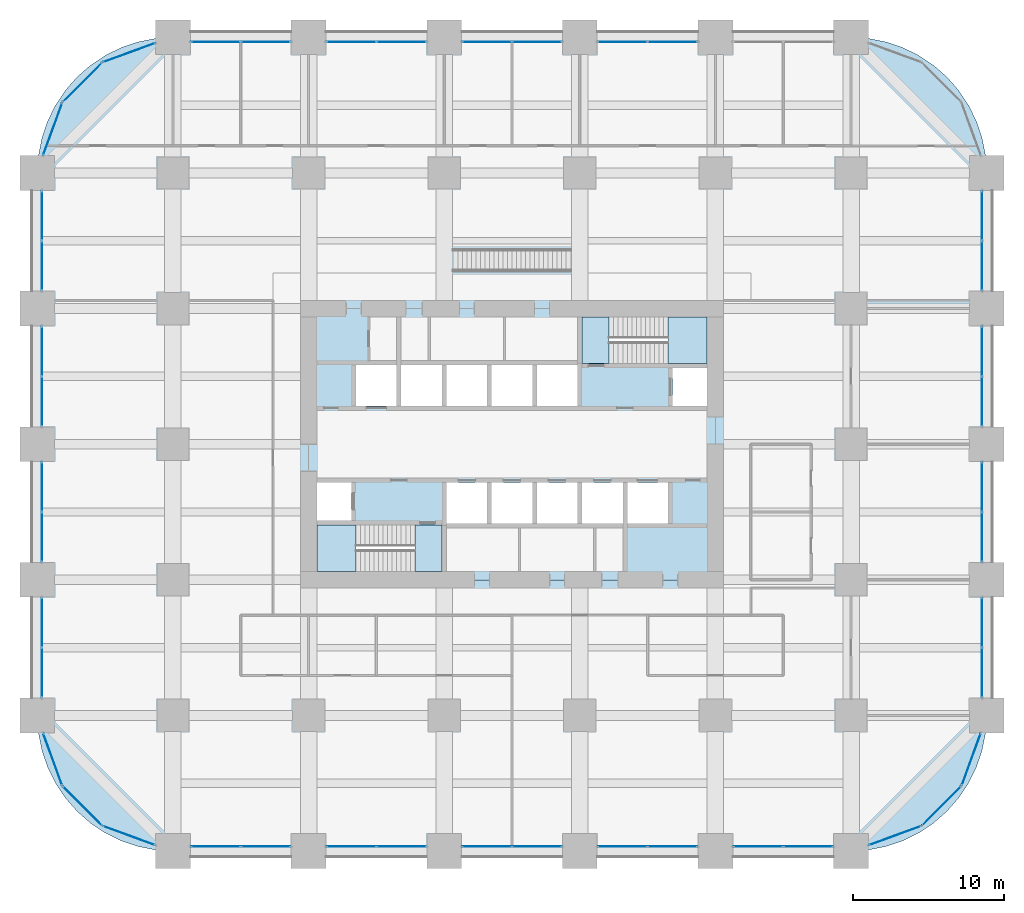
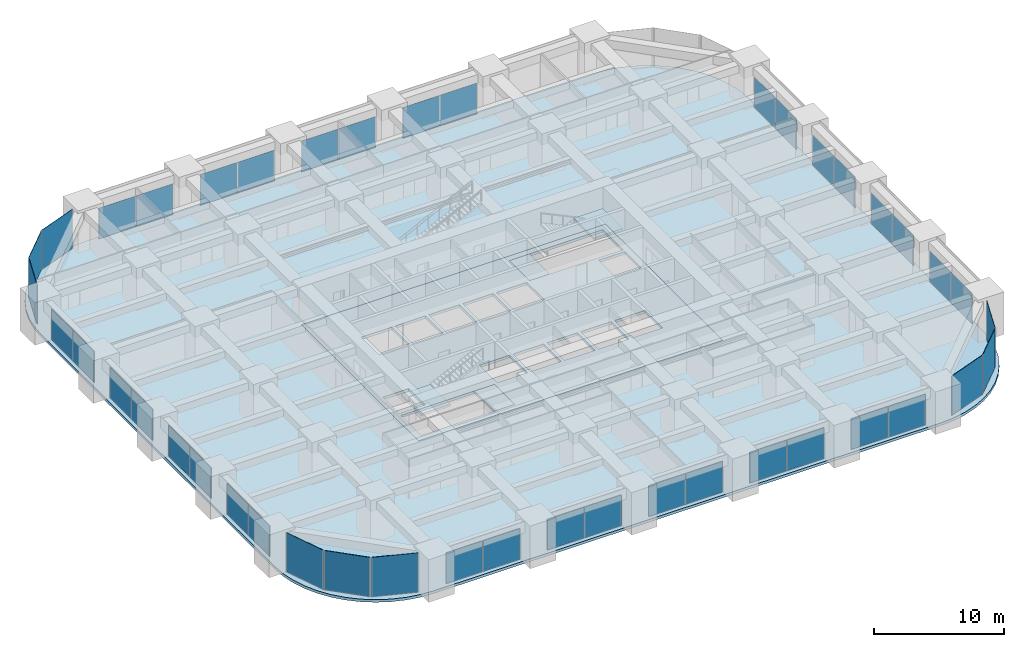
# One storey, part 38 of 44: 43 plates, 6 slabs, 28 elements without a shape of their own.
"""IFC4 building model written with IfcOpenShell, lengths in metres."""

from ifc_helpers import new_model, si_unit, direction, frame, origin, origin_2d, place, context, subcontext, project, spatial, polyline, rectangle, outline, extrude, material, layer, layer_set, type_object, element, aggregate, save


model = new_model("IFC4")

# Units and contexts
model_context = context("Model", 3, precision=1e-05, world=origin(), true_north=direction((0.0, 1.0)))
body_context = subcontext(model_context, "Body", "Model", "MODEL_VIEW")
ifc_project = project(units=[si_unit("LENGTHUNIT", "METRE"), si_unit("AREAUNIT", "SQUARE_METRE"), si_unit("VOLUMEUNIT", "CUBIC_METRE"), si_unit("PLANEANGLEUNIT", "RADIAN"), si_unit("MASSUNIT", "GRAM", prefix="KILO")], contexts=[model_context])

# Site, building, storey
site_placement = place(None, origin())
site = spatial("IfcSite", under=ifc_project, at=site_placement, CompositionType="ELEMENT")
building_placement = place(site_placement, origin())
building = spatial("IfcBuilding", under=site, at=building_placement, Name="Zorevar Civic Tower", CompositionType="ELEMENT")
storey_placement = place(building_placement, frame((0.0, 0.0, 59.800048828125)))
storey = spatial("IfcBuildingStorey", under=building, at=storey_placement, Name="L14", CompositionType="ELEMENT", Elevation=59.800048828125)

# Curtain wall, plates
ifc_material_1 = material(Name="Dark grey solar-control glass in black aluminium frame", Category="aluminium")
curtain_wall_type = type_object("IfcCurtainWallType", Name="Curtain wall CW2 low zone", PredefinedType="NOTDEFINED", material=ifc_material_1)
curtain_wall_1_placement = place(storey_placement, origin())
curtain_wall_1 = element("IfcCurtainWall", 1, at=curtain_wall_1_placement, inside=storey, type_object=curtain_wall_type, Name="CW2 L14", PredefinedType="NOTDEFINED")
ifc_material_2 = material(Name="Dark grey solar-control glass", Category="glass")
ifc_layer_1 = layer(ifc_material_2, 0.031982421875)
ifc_layer_set_1 = layer_set([ifc_layer_1], Name="CW2 panel 32")
plate_type = type_object("IfcPlateType", Name="CW2 panel 32", PredefinedType="CURTAIN_PANEL", material=ifc_layer_set_1)
plate_1_placement = place(storey_placement, frame((11.840087890625, 0.300048828125, 0.06005859375), z_axis=(0.0, 0.0, 1.0), x_axis=(1.0, 0.0, 0.0)))
plate_1 = element("IfcPlate", 2, at=plate_1_placement, type_object=plate_type, Name="CW2 panel 1.1", PredefinedType="CURTAIN_PANEL", context=body_context, shape_type="SweptSolid", body=[
    extrude(rectangle(XDim=3.260009765625, YDim=0.031982421875, at=origin_2d()), origin(), (0.0, 0.0, 1.0), 2.889892578125),
])
plate_2_placement = place(storey_placement, frame((15.159912109375, 0.300048828125, 0.06005859375), z_axis=(0.0, 0.0, 1.0), x_axis=(1.0, 0.0, 0.0)))
plate_2 = element("IfcPlate", 3, at=plate_2_placement, type_object=plate_type, Name="CW2 panel 2.1", PredefinedType="CURTAIN_PANEL", context=body_context, shape_type="SweptSolid", body=[
    extrude(rectangle(XDim=3.260009765625, YDim=0.031982421875, at=origin_2d()), origin(), (0.0, 0.0, 1.0), 2.889892578125),
])
aggregate(curtain_wall_1, [plate_1, plate_2])

curtain_wall_2_placement = place(storey_placement, origin())
curtain_wall_2 = element("IfcCurtainWall", 4, at=curtain_wall_2_placement, inside=storey, type_object=curtain_wall_type, Name="CW2 L14", PredefinedType="NOTDEFINED")
plate_3_placement = place(storey_placement, frame((11.840087890625, 53.699951171875, 0.06005859375), z_axis=(0.0, 0.0, 1.0), x_axis=(1.0, 0.0, 0.0)))
plate_3 = element("IfcPlate", 5, at=plate_3_placement, type_object=plate_type, Name="CW2 panel 1.1", PredefinedType="CURTAIN_PANEL", context=body_context, shape_type="SweptSolid", body=[
    extrude(rectangle(XDim=3.260009765625, YDim=0.031982421875, at=origin_2d()), origin(), (0.0, 0.0, 1.0), 2.889892578125),
])
plate_4_placement = place(storey_placement, frame((15.159912109375, 53.699951171875, 0.06005859375), z_axis=(0.0, 0.0, 1.0), x_axis=(1.0, 0.0, 0.0)))
plate_4 = element("IfcPlate", 6, at=plate_4_placement, type_object=plate_type, Name="CW2 panel 2.1", PredefinedType="CURTAIN_PANEL", context=body_context, shape_type="SweptSolid", body=[
    extrude(rectangle(XDim=3.260009765625, YDim=0.031982421875, at=origin_2d()), origin(), (0.0, 0.0, 1.0), 2.889892578125),
])
aggregate(curtain_wall_2, [plate_3, plate_4])

curtain_wall_3_placement = place(storey_placement, origin())
curtain_wall_3 = element("IfcCurtainWall", 7, at=curtain_wall_3_placement, inside=storey, type_object=curtain_wall_type, Name="CW2 L14", PredefinedType="NOTDEFINED")
plate_5_placement = place(storey_placement, frame((20.840087890625, 0.300048828125, 0.06005859375), z_axis=(0.0, 0.0, 1.0), x_axis=(1.0, 0.0, 0.0)))
plate_5 = element("IfcPlate", 8, at=plate_5_placement, type_object=plate_type, Name="CW2 panel 1.1", PredefinedType="CURTAIN_PANEL", context=body_context, shape_type="SweptSolid", body=[
    extrude(rectangle(XDim=3.260009765625, YDim=0.031982421875, at=origin_2d()), origin(), (0.0, 0.0, 1.0), 2.889892578125),
])
plate_6_placement = place(storey_placement, frame((24.159912109375, 0.300048828125, 0.06005859375), z_axis=(0.0, 0.0, 1.0), x_axis=(1.0, 0.0, 0.0)))
plate_6 = element("IfcPlate", 9, at=plate_6_placement, type_object=plate_type, Name="CW2 panel 2.1", PredefinedType="CURTAIN_PANEL", context=body_context, shape_type="SweptSolid", body=[
    extrude(rectangle(XDim=3.260009765625, YDim=0.031982421875, at=origin_2d()), origin(), (0.0, 0.0, 1.0), 2.889892578125),
])
aggregate(curtain_wall_3, [plate_5, plate_6])

curtain_wall_4_placement = place(storey_placement, origin())
curtain_wall_4 = element("IfcCurtainWall", 10, at=curtain_wall_4_placement, inside=storey, type_object=curtain_wall_type, Name="CW2 L14", PredefinedType="NOTDEFINED")
plate_7_placement = place(storey_placement, frame((20.840087890625, 53.699951171875, 0.06005859375), z_axis=(0.0, 0.0, 1.0), x_axis=(1.0, 0.0, 0.0)))
plate_7 = element("IfcPlate", 11, at=plate_7_placement, type_object=plate_type, Name="CW2 panel 1.1", PredefinedType="CURTAIN_PANEL", context=body_context, shape_type="SweptSolid", body=[
    extrude(rectangle(XDim=3.260009765625, YDim=0.031982421875, at=origin_2d()), origin(), (0.0, 0.0, 1.0), 2.889892578125),
])
plate_8_placement = place(storey_placement, frame((24.159912109375, 53.699951171875, 0.06005859375), z_axis=(0.0, 0.0, 1.0), x_axis=(1.0, 0.0, 0.0)))
plate_8 = element("IfcPlate", 12, at=plate_8_placement, type_object=plate_type, Name="CW2 panel 2.1", PredefinedType="CURTAIN_PANEL", context=body_context, shape_type="SweptSolid", body=[
    extrude(rectangle(XDim=3.260009765625, YDim=0.031982421875, at=origin_2d()), origin(), (0.0, 0.0, 1.0), 2.889892578125),
])
aggregate(curtain_wall_4, [plate_7, plate_8])

curtain_wall_5_placement = place(storey_placement, origin())
curtain_wall_5 = element("IfcCurtainWall", 13, at=curtain_wall_5_placement, inside=storey, type_object=curtain_wall_type, Name="CW2 L14", PredefinedType="NOTDEFINED")
plate_9_placement = place(storey_placement, frame((29.840087890625, 0.300048828125, 0.06005859375), z_axis=(0.0, 0.0, 1.0), x_axis=(1.0, 0.0, 0.0)))
plate_9 = element("IfcPlate", 14, at=plate_9_placement, type_object=plate_type, Name="CW2 panel 1.1", PredefinedType="CURTAIN_PANEL", context=body_context, shape_type="SweptSolid", body=[
    extrude(rectangle(XDim=3.260009765625, YDim=0.031982421875, at=origin_2d()), origin(), (0.0, 0.0, 1.0), 2.889892578125),
])
plate_10_placement = place(storey_placement, frame((33.159912109375, 0.300048828125, 0.06005859375), z_axis=(0.0, 0.0, 1.0), x_axis=(1.0, 0.0, 0.0)))
plate_10 = element("IfcPlate", 15, at=plate_10_placement, type_object=plate_type, Name="CW2 panel 2.1", PredefinedType="CURTAIN_PANEL", context=body_context, shape_type="SweptSolid", body=[
    extrude(rectangle(XDim=3.260009765625, YDim=0.031982421875, at=origin_2d()), origin(), (0.0, 0.0, 1.0), 2.889892578125),
])
aggregate(curtain_wall_5, [plate_9, plate_10])

curtain_wall_6_placement = place(storey_placement, origin())
curtain_wall_6 = element("IfcCurtainWall", 16, at=curtain_wall_6_placement, inside=storey, type_object=curtain_wall_type, Name="CW2 L14", PredefinedType="NOTDEFINED")
plate_11_placement = place(storey_placement, frame((29.840087890625, 53.699951171875, 0.06005859375), z_axis=(0.0, 0.0, 1.0), x_axis=(1.0, 0.0, 0.0)))
plate_11 = element("IfcPlate", 17, at=plate_11_placement, type_object=plate_type, Name="CW2 panel 1.1", PredefinedType="CURTAIN_PANEL", context=body_context, shape_type="SweptSolid", body=[
    extrude(rectangle(XDim=3.260009765625, YDim=0.031982421875, at=origin_2d()), origin(), (0.0, 0.0, 1.0), 2.889892578125),
])
plate_12_placement = place(storey_placement, frame((33.159912109375, 53.699951171875, 0.06005859375), z_axis=(0.0, 0.0, 1.0), x_axis=(1.0, 0.0, 0.0)))
plate_12 = element("IfcPlate", 18, at=plate_12_placement, type_object=plate_type, Name="CW2 panel 2.1", PredefinedType="CURTAIN_PANEL", context=body_context, shape_type="SweptSolid", body=[
    extrude(rectangle(XDim=3.260009765625, YDim=0.031982421875, at=origin_2d()), origin(), (0.0, 0.0, 1.0), 2.889892578125),
])
aggregate(curtain_wall_6, [plate_11, plate_12])

curtain_wall_7_placement = place(storey_placement, origin())
curtain_wall_7 = element("IfcCurtainWall", 19, at=curtain_wall_7_placement, inside=storey, type_object=curtain_wall_type, Name="CW2 L14", PredefinedType="NOTDEFINED")
plate_13_placement = place(storey_placement, frame((38.840087890625, 0.300048828125, 0.06005859375), z_axis=(0.0, 0.0, 1.0), x_axis=(1.0, 0.0, 0.0)))
plate_13 = element("IfcPlate", 20, at=plate_13_placement, type_object=plate_type, Name="CW2 panel 1.1", PredefinedType="CURTAIN_PANEL", context=body_context, shape_type="SweptSolid", body=[
    extrude(rectangle(XDim=3.260009765625, YDim=0.031982421875, at=origin_2d()), origin(), (0.0, 0.0, 1.0), 2.889892578125),
])
plate_14_placement = place(storey_placement, frame((42.159912109375, 0.300048828125, 0.06005859375), z_axis=(0.0, 0.0, 1.0), x_axis=(1.0, 0.0, 0.0)))
plate_14 = element("IfcPlate", 21, at=plate_14_placement, type_object=plate_type, Name="CW2 panel 2.1", PredefinedType="CURTAIN_PANEL", context=body_context, shape_type="SweptSolid", body=[
    extrude(rectangle(XDim=3.260009765625, YDim=0.031982421875, at=origin_2d()), origin(), (0.0, 0.0, 1.0), 2.889892578125),
])
aggregate(curtain_wall_7, [plate_13, plate_14])

curtain_wall_8_placement = place(storey_placement, origin())
curtain_wall_8 = element("IfcCurtainWall", 22, at=curtain_wall_8_placement, inside=storey, type_object=curtain_wall_type, Name="CW2 L14", PredefinedType="NOTDEFINED")
plate_15_placement = place(storey_placement, frame((38.840087890625, 53.699951171875, 0.06005859375), z_axis=(0.0, 0.0, 1.0), x_axis=(1.0, 0.0, 0.0)))
plate_15 = element("IfcPlate", 23, at=plate_15_placement, type_object=plate_type, Name="CW2 panel 1.1", PredefinedType="CURTAIN_PANEL", context=body_context, shape_type="SweptSolid", body=[
    extrude(rectangle(XDim=3.260009765625, YDim=0.031982421875, at=origin_2d()), origin(), (0.0, 0.0, 1.0), 2.889892578125),
])
plate_16_placement = place(storey_placement, frame((42.159912109375, 53.699951171875, 0.06005859375), z_axis=(0.0, 0.0, 1.0), x_axis=(1.0, 0.0, 0.0)))
plate_16 = element("IfcPlate", 24, at=plate_16_placement, type_object=plate_type, Name="CW2 panel 2.1", PredefinedType="CURTAIN_PANEL", context=body_context, shape_type="SweptSolid", body=[
    extrude(rectangle(XDim=3.260009765625, YDim=0.031982421875, at=origin_2d()), origin(), (0.0, 0.0, 1.0), 2.889892578125),
])
aggregate(curtain_wall_8, [plate_15, plate_16])

curtain_wall_9_placement = place(storey_placement, origin())
curtain_wall_9 = element("IfcCurtainWall", 25, at=curtain_wall_9_placement, inside=storey, type_object=curtain_wall_type, Name="CW2 L14", PredefinedType="NOTDEFINED")
plate_17_placement = place(storey_placement, frame((47.840087890625, 0.300048828125, 0.06005859375), z_axis=(0.0, 0.0, 1.0), x_axis=(1.0, 0.0, 0.0)))
plate_17 = element("IfcPlate", 26, at=plate_17_placement, type_object=plate_type, Name="CW2 panel 1.1", PredefinedType="CURTAIN_PANEL", context=body_context, shape_type="SweptSolid", body=[
    extrude(rectangle(XDim=3.260009765625, YDim=0.031982421875, at=origin_2d()), origin(), (0.0, 0.0, 1.0), 2.889892578125),
])
plate_18_placement = place(storey_placement, frame((51.159912109375, 0.300048828125, 0.06005859375), z_axis=(0.0, 0.0, 1.0), x_axis=(1.0, 0.0, 0.0)))
plate_18 = element("IfcPlate", 27, at=plate_18_placement, type_object=plate_type, Name="CW2 panel 2.1", PredefinedType="CURTAIN_PANEL", context=body_context, shape_type="SweptSolid", body=[
    extrude(rectangle(XDim=3.260009765625, YDim=0.031982421875, at=origin_2d()), origin(), (0.0, 0.0, 1.0), 2.889892578125),
])
aggregate(curtain_wall_9, [plate_17, plate_18])

curtain_wall_10_placement = place(storey_placement, origin())
curtain_wall_10 = element("IfcCurtainWall", 28, at=curtain_wall_10_placement, inside=storey, type_object=curtain_wall_type, Name="CW2 L14", PredefinedType="NOTDEFINED")
plate_19_placement = place(storey_placement, frame((0.300048828125, 11.840087890625, 0.06005859375), z_axis=(0.0, 0.0, 1.0), x_axis=(0.0, 1.0, 0.0)))
plate_19 = element("IfcPlate", 29, at=plate_19_placement, type_object=plate_type, Name="CW2 panel 1.1", PredefinedType="CURTAIN_PANEL", context=body_context, shape_type="SweptSolid", body=[
    extrude(rectangle(XDim=3.260009765625, YDim=0.031982421875, at=origin_2d()), origin(), (0.0, 0.0, 1.0), 2.889892578125),
])
plate_20_placement = place(storey_placement, frame((0.300048828125, 15.159912109375, 0.06005859375), z_axis=(0.0, 0.0, 1.0), x_axis=(0.0, 1.0, 0.0)))
plate_20 = element("IfcPlate", 30, at=plate_20_placement, type_object=plate_type, Name="CW2 panel 2.1", PredefinedType="CURTAIN_PANEL", context=body_context, shape_type="SweptSolid", body=[
    extrude(rectangle(XDim=3.260009765625, YDim=0.031982421875, at=origin_2d()), origin(), (0.0, 0.0, 1.0), 2.889892578125),
])
aggregate(curtain_wall_10, [plate_19, plate_20])

curtain_wall_11_placement = place(storey_placement, origin())
curtain_wall_11 = element("IfcCurtainWall", 31, at=curtain_wall_11_placement, inside=storey, type_object=curtain_wall_type, Name="CW2 L14", PredefinedType="NOTDEFINED")
plate_21_placement = place(storey_placement, frame((62.699951171875, 11.840087890625, 0.06005859375), z_axis=(0.0, 0.0, 1.0), x_axis=(0.0, 1.0, 0.0)))
plate_21 = element("IfcPlate", 32, at=plate_21_placement, type_object=plate_type, Name="CW2 panel 1.1", PredefinedType="CURTAIN_PANEL", context=body_context, shape_type="SweptSolid", body=[
    extrude(rectangle(XDim=3.260009765625, YDim=0.031982421875, at=origin_2d()), origin(), (0.0, 0.0, 1.0), 2.889892578125),
])
plate_22_placement = place(storey_placement, frame((62.699951171875, 15.159912109375, 0.06005859375), z_axis=(0.0, 0.0, 1.0), x_axis=(0.0, 1.0, 0.0)))
plate_22 = element("IfcPlate", 33, at=plate_22_placement, type_object=plate_type, Name="CW2 panel 2.1", PredefinedType="CURTAIN_PANEL", context=body_context, shape_type="SweptSolid", body=[
    extrude(rectangle(XDim=3.260009765625, YDim=0.031982421875, at=origin_2d()), origin(), (0.0, 0.0, 1.0), 2.889892578125),
])
aggregate(curtain_wall_11, [plate_21, plate_22])

curtain_wall_12_placement = place(storey_placement, origin())
curtain_wall_12 = element("IfcCurtainWall", 34, at=curtain_wall_12_placement, inside=storey, type_object=curtain_wall_type, Name="CW2 L14", PredefinedType="NOTDEFINED")
plate_23_placement = place(storey_placement, frame((0.300048828125, 20.840087890625, 0.06005859375), z_axis=(0.0, 0.0, 1.0), x_axis=(0.0, 1.0, 0.0)))
plate_23 = element("IfcPlate", 35, at=plate_23_placement, type_object=plate_type, Name="CW2 panel 1.1", PredefinedType="CURTAIN_PANEL", context=body_context, shape_type="SweptSolid", body=[
    extrude(rectangle(XDim=3.260009765625, YDim=0.031982421875, at=origin_2d()), origin(), (0.0, 0.0, 1.0), 2.889892578125),
])
plate_24_placement = place(storey_placement, frame((0.300048828125, 24.159912109375, 0.06005859375), z_axis=(0.0, 0.0, 1.0), x_axis=(0.0, 1.0, 0.0)))
plate_24 = element("IfcPlate", 36, at=plate_24_placement, type_object=plate_type, Name="CW2 panel 2.1", PredefinedType="CURTAIN_PANEL", context=body_context, shape_type="SweptSolid", body=[
    extrude(rectangle(XDim=3.260009765625, YDim=0.031982421875, at=origin_2d()), origin(), (0.0, 0.0, 1.0), 2.889892578125),
])
aggregate(curtain_wall_12, [plate_23, plate_24])

curtain_wall_13_placement = place(storey_placement, origin())
curtain_wall_13 = element("IfcCurtainWall", 37, at=curtain_wall_13_placement, inside=storey, type_object=curtain_wall_type, Name="CW2 L14", PredefinedType="NOTDEFINED")
plate_25_placement = place(storey_placement, frame((62.699951171875, 20.840087890625, 0.06005859375), z_axis=(0.0, 0.0, 1.0), x_axis=(0.0, 1.0, 0.0)))
plate_25 = element("IfcPlate", 38, at=plate_25_placement, type_object=plate_type, Name="CW2 panel 1.1", PredefinedType="CURTAIN_PANEL", context=body_context, shape_type="SweptSolid", body=[
    extrude(rectangle(XDim=3.260009765625, YDim=0.031982421875, at=origin_2d()), origin(), (0.0, 0.0, 1.0), 2.889892578125),
])
plate_26_placement = place(storey_placement, frame((62.699951171875, 24.159912109375, 0.06005859375), z_axis=(0.0, 0.0, 1.0), x_axis=(0.0, 1.0, 0.0)))
plate_26 = element("IfcPlate", 39, at=plate_26_placement, type_object=plate_type, Name="CW2 panel 2.1", PredefinedType="CURTAIN_PANEL", context=body_context, shape_type="SweptSolid", body=[
    extrude(rectangle(XDim=3.260009765625, YDim=0.031982421875, at=origin_2d()), origin(), (0.0, 0.0, 1.0), 2.889892578125),
])
aggregate(curtain_wall_13, [plate_25, plate_26])

curtain_wall_14_placement = place(storey_placement, origin())
curtain_wall_14 = element("IfcCurtainWall", 40, at=curtain_wall_14_placement, inside=storey, type_object=curtain_wall_type, Name="CW2 L14", PredefinedType="NOTDEFINED")
plate_27_placement = place(storey_placement, frame((0.300048828125, 29.840087890625, 0.06005859375), z_axis=(0.0, 0.0, 1.0), x_axis=(0.0, 1.0, 0.0)))
plate_27 = element("IfcPlate", 41, at=plate_27_placement, type_object=plate_type, Name="CW2 panel 1.1", PredefinedType="CURTAIN_PANEL", context=body_context, shape_type="SweptSolid", body=[
    extrude(rectangle(XDim=3.260009765625, YDim=0.031982421875, at=origin_2d()), origin(), (0.0, 0.0, 1.0), 2.889892578125),
])
plate_28_placement = place(storey_placement, frame((0.300048828125, 33.159912109375, 0.06005859375), z_axis=(0.0, 0.0, 1.0), x_axis=(0.0, 1.0, 0.0)))
plate_28 = element("IfcPlate", 42, at=plate_28_placement, type_object=plate_type, Name="CW2 panel 2.1", PredefinedType="CURTAIN_PANEL", context=body_context, shape_type="SweptSolid", body=[
    extrude(rectangle(XDim=3.260009765625, YDim=0.031982421875, at=origin_2d()), origin(), (0.0, 0.0, 1.0), 2.889892578125),
])
aggregate(curtain_wall_14, [plate_27, plate_28])

curtain_wall_15_placement = place(storey_placement, origin())
curtain_wall_15 = element("IfcCurtainWall", 43, at=curtain_wall_15_placement, inside=storey, type_object=curtain_wall_type, Name="CW2 L14", PredefinedType="NOTDEFINED")
plate_29_placement = place(storey_placement, frame((62.699951171875, 29.840087890625, 0.06005859375), z_axis=(0.0, 0.0, 1.0), x_axis=(0.0, 1.0, 0.0)))
plate_29 = element("IfcPlate", 44, at=plate_29_placement, type_object=plate_type, Name="CW2 panel 1.1", PredefinedType="CURTAIN_PANEL", context=body_context, shape_type="SweptSolid", body=[
    extrude(rectangle(XDim=3.260009765625, YDim=0.031982421875, at=origin_2d()), origin(), (0.0, 0.0, 1.0), 2.889892578125),
])
plate_30_placement = place(storey_placement, frame((62.699951171875, 33.159912109375, 0.06005859375), z_axis=(0.0, 0.0, 1.0), x_axis=(0.0, 1.0, 0.0)))
plate_30 = element("IfcPlate", 45, at=plate_30_placement, type_object=plate_type, Name="CW2 panel 2.1", PredefinedType="CURTAIN_PANEL", context=body_context, shape_type="SweptSolid", body=[
    extrude(rectangle(XDim=3.260009765625, YDim=0.031982421875, at=origin_2d()), origin(), (0.0, 0.0, 1.0), 2.889892578125),
])
aggregate(curtain_wall_15, [plate_29, plate_30])

curtain_wall_16_placement = place(storey_placement, origin())
curtain_wall_16 = element("IfcCurtainWall", 46, at=curtain_wall_16_placement, inside=storey, type_object=curtain_wall_type, Name="CW2 L14", PredefinedType="NOTDEFINED")
plate_31_placement = place(storey_placement, frame((0.300048828125, 38.840087890625, 0.06005859375), z_axis=(0.0, 0.0, 1.0), x_axis=(0.0, 1.0, 0.0)))
plate_31 = element("IfcPlate", 47, at=plate_31_placement, type_object=plate_type, Name="CW2 panel 1.1", PredefinedType="CURTAIN_PANEL", context=body_context, shape_type="SweptSolid", body=[
    extrude(rectangle(XDim=3.260009765625, YDim=0.031982421875, at=origin_2d()), origin(), (0.0, 0.0, 1.0), 2.889892578125),
])
plate_32_placement = place(storey_placement, frame((0.300048828125, 42.159912109375, 0.06005859375), z_axis=(0.0, 0.0, 1.0), x_axis=(0.0, 1.0, 0.0)))
plate_32 = element("IfcPlate", 48, at=plate_32_placement, type_object=plate_type, Name="CW2 panel 2.1", PredefinedType="CURTAIN_PANEL", context=body_context, shape_type="SweptSolid", body=[
    extrude(rectangle(XDim=3.260009765625, YDim=0.031982421875, at=origin_2d()), origin(), (0.0, 0.0, 1.0), 2.889892578125),
])
aggregate(curtain_wall_16, [plate_31, plate_32])

curtain_wall_17_placement = place(storey_placement, origin())
curtain_wall_17 = element("IfcCurtainWall", 49, at=curtain_wall_17_placement, inside=storey, type_object=curtain_wall_type, Name="CW2 L14", PredefinedType="NOTDEFINED")
plate_33_placement = place(storey_placement, frame((62.699951171875, 38.840087890625, 0.06005859375), z_axis=(0.0, 0.0, 1.0), x_axis=(0.0, 1.0, 0.0)))
plate_33 = element("IfcPlate", 50, at=plate_33_placement, type_object=plate_type, Name="CW2 panel 1.1", PredefinedType="CURTAIN_PANEL", context=body_context, shape_type="SweptSolid", body=[
    extrude(rectangle(XDim=3.260009765625, YDim=0.031982421875, at=origin_2d()), origin(), (0.0, 0.0, 1.0), 2.889892578125),
])
plate_34_placement = place(storey_placement, frame((62.699951171875, 42.159912109375, 0.06005859375), z_axis=(0.0, 0.0, 1.0), x_axis=(0.0, 1.0, 0.0)))
plate_34 = element("IfcPlate", 51, at=plate_34_placement, type_object=plate_type, Name="CW2 panel 2.1", PredefinedType="CURTAIN_PANEL", context=body_context, shape_type="SweptSolid", body=[
    extrude(rectangle(XDim=3.260009765625, YDim=0.031982421875, at=origin_2d()), origin(), (0.0, 0.0, 1.0), 2.889892578125),
])
aggregate(curtain_wall_17, [plate_33, plate_34])

# Curtain wall, plate
curtain_wall_18_placement = place(storey_placement, origin())
curtain_wall_18 = element("IfcCurtainWall", 52, at=curtain_wall_18_placement, inside=storey, type_object=curtain_wall_type, Name="CW2 L14", PredefinedType="NOTDEFINED")
plate_35_placement = place(storey_placement, frame((56.914306640625, 1.020751953125, 0.06005859375), z_axis=(0.0, 0.0, 1.0), x_axis=(0.939313345732, 0.343060400701, 0.0)))
plate_35 = element("IfcPlate", 53, at=plate_35_placement, type_object=plate_type, Name="CW2 panel 1.1", PredefinedType="CURTAIN_PANEL", context=body_context, shape_type="SweptSolid", body=[
    extrude(rectangle(XDim=3.636474609375, YDim=0.031982421875, at=origin_2d()), origin(), (0.0, 0.0, 1.0), 3.68994140625),
])
aggregate(curtain_wall_18, [plate_35])

curtain_wall_19_placement = place(storey_placement, origin())
curtain_wall_19 = element("IfcCurtainWall", 54, at=curtain_wall_19_placement, inside=storey, type_object=curtain_wall_type, Name="CW2 L14", PredefinedType="NOTDEFINED")
plate_36_placement = place(storey_placement, frame((60.0068359375, 2.9931640625, 0.06005859375), z_axis=(0.0, 0.0, 1.0), x_axis=(0.707106781187, 0.707106781187, 0.0)))
plate_36 = element("IfcPlate", 55, at=plate_36_placement, type_object=plate_type, Name="CW2 panel 1.1", PredefinedType="CURTAIN_PANEL", context=body_context, shape_type="SweptSolid", body=[
    extrude(rectangle(XDim=3.636474609375, YDim=0.031982421875, at=origin_2d()), origin(), (0.0, 0.0, 1.0), 3.68994140625),
])
aggregate(curtain_wall_19, [plate_36])

curtain_wall_20_placement = place(storey_placement, origin())
curtain_wall_20 = element("IfcCurtainWall", 56, at=curtain_wall_20_placement, inside=storey, type_object=curtain_wall_type, Name="CW2 L14", PredefinedType="NOTDEFINED")
plate_37_placement = place(storey_placement, frame((61.979248046875, 6.085693359375, 0.06005859375), z_axis=(0.0, 0.0, 1.0), x_axis=(0.343060400701, 0.939313345732, 0.0)))
plate_37 = element("IfcPlate", 57, at=plate_37_placement, type_object=plate_type, Name="CW2 panel 1.1", PredefinedType="CURTAIN_PANEL", context=body_context, shape_type="SweptSolid", body=[
    extrude(rectangle(XDim=3.636474609375, YDim=0.031982421875, at=origin_2d()), origin(), (0.0, 0.0, 1.0), 3.68994140625),
])
aggregate(curtain_wall_20, [plate_37])

curtain_wall_21_placement = place(storey_placement, origin())
curtain_wall_21 = element("IfcCurtainWall", 58, at=curtain_wall_21_placement, inside=storey, type_object=curtain_wall_type, Name="CW2 L14", PredefinedType="NOTDEFINED")
plate_38_placement = place(storey_placement, frame((6.085693359375, 52.979248046875, 0.06005859375), z_axis=(0.0, 0.0, 1.0), x_axis=(-0.939313345732, -0.343060400701, 0.0)))
plate_38 = element("IfcPlate", 59, at=plate_38_placement, type_object=plate_type, Name="CW2 panel 1.1", PredefinedType="CURTAIN_PANEL", context=body_context, shape_type="SweptSolid", body=[
    extrude(rectangle(XDim=3.636474609375, YDim=0.031982421875, at=origin_2d()), origin(), (0.0, 0.0, 1.0), 3.68994140625),
])
aggregate(curtain_wall_21, [plate_38])

curtain_wall_22_placement = place(storey_placement, origin())
curtain_wall_22 = element("IfcCurtainWall", 60, at=curtain_wall_22_placement, inside=storey, type_object=curtain_wall_type, Name="CW2 L14", PredefinedType="NOTDEFINED")
plate_39_placement = place(storey_placement, frame((2.9931640625, 51.0068359375, 0.06005859375), z_axis=(0.0, 0.0, 1.0), x_axis=(-0.707106781187, -0.707106781187, 0.0)))
plate_39 = element("IfcPlate", 61, at=plate_39_placement, type_object=plate_type, Name="CW2 panel 1.1", PredefinedType="CURTAIN_PANEL", context=body_context, shape_type="SweptSolid", body=[
    extrude(rectangle(XDim=3.636474609375, YDim=0.031982421875, at=origin_2d()), origin(), (0.0, 0.0, 1.0), 3.68994140625),
])
aggregate(curtain_wall_22, [plate_39])

curtain_wall_23_placement = place(storey_placement, origin())
curtain_wall_23 = element("IfcCurtainWall", 62, at=curtain_wall_23_placement, inside=storey, type_object=curtain_wall_type, Name="CW2 L14", PredefinedType="NOTDEFINED")
plate_40_placement = place(storey_placement, frame((1.020751953125, 47.914306640625, 0.06005859375), z_axis=(0.0, 0.0, 1.0), x_axis=(-0.343060400701, -0.939313345732, 0.0)))
plate_40 = element("IfcPlate", 63, at=plate_40_placement, type_object=plate_type, Name="CW2 panel 1.1", PredefinedType="CURTAIN_PANEL", context=body_context, shape_type="SweptSolid", body=[
    extrude(rectangle(XDim=3.636474609375, YDim=0.031982421875, at=origin_2d()), origin(), (0.0, 0.0, 1.0), 3.68994140625),
])
aggregate(curtain_wall_23, [plate_40])

curtain_wall_24_placement = place(storey_placement, origin())
curtain_wall_24 = element("IfcCurtainWall", 64, at=curtain_wall_24_placement, inside=storey, type_object=curtain_wall_type, Name="CW2 L14", PredefinedType="NOTDEFINED")
plate_41_placement = place(storey_placement, frame((1.020751953125, 6.085693359375, 0.06005859375), z_axis=(0.0, 0.0, 1.0), x_axis=(0.343060400701, -0.939313345732, 0.0)))
plate_41 = element("IfcPlate", 65, at=plate_41_placement, type_object=plate_type, Name="CW2 panel 1.1", PredefinedType="CURTAIN_PANEL", context=body_context, shape_type="SweptSolid", body=[
    extrude(rectangle(XDim=3.636474609375, YDim=0.031982421875, at=origin_2d()), origin(), (0.0, 0.0, 1.0), 3.68994140625),
])
aggregate(curtain_wall_24, [plate_41])

curtain_wall_25_placement = place(storey_placement, origin())
curtain_wall_25 = element("IfcCurtainWall", 66, at=curtain_wall_25_placement, inside=storey, type_object=curtain_wall_type, Name="CW2 L14", PredefinedType="NOTDEFINED")
plate_42_placement = place(storey_placement, frame((2.9931640625, 2.9931640625, 0.06005859375), z_axis=(0.0, 0.0, 1.0), x_axis=(0.707106781187, -0.707106781187, 0.0)))
plate_42 = element("IfcPlate", 67, at=plate_42_placement, type_object=plate_type, Name="CW2 panel 1.1", PredefinedType="CURTAIN_PANEL", context=body_context, shape_type="SweptSolid", body=[
    extrude(rectangle(XDim=3.636474609375, YDim=0.031982421875, at=origin_2d()), origin(), (0.0, 0.0, 1.0), 3.68994140625),
])
aggregate(curtain_wall_25, [plate_42])

curtain_wall_26_placement = place(storey_placement, origin())
curtain_wall_26 = element("IfcCurtainWall", 68, at=curtain_wall_26_placement, inside=storey, type_object=curtain_wall_type, Name="CW2 L14", PredefinedType="NOTDEFINED")
plate_43_placement = place(storey_placement, frame((6.085693359375, 1.020751953125, 0.06005859375), z_axis=(0.0, 0.0, 1.0), x_axis=(0.939313345732, -0.343060400701, 0.0)))
plate_43 = element("IfcPlate", 69, at=plate_43_placement, type_object=plate_type, Name="CW2 panel 1.1", PredefinedType="CURTAIN_PANEL", context=body_context, shape_type="SweptSolid", body=[
    extrude(rectangle(XDim=3.636474609375, YDim=0.031982421875, at=origin_2d()), origin(), (0.0, 0.0, 1.0), 3.68994140625),
])
aggregate(curtain_wall_26, [plate_43])

# Slabs
ifc_material_3 = material(Name="Concrete C40/50", Category="concrete")
ifc_layer_2 = layer(ifc_material_3, 0.25)
ifc_layer_set_2 = layer_set([ifc_layer_2], Name="Floor slab 250")
slab_type_1 = type_object("IfcSlabType", Name="Floor slab 250", PredefinedType="FLOOR", material=ifc_layer_set_2)
slab_1_placement = place(storey_placement, frame((0.0, 0.0, -0.25)))
element("IfcSlab", 70, at=slab_1_placement, inside=storey, type_object=slab_type_1, Name="Floor slab L14", PredefinedType="FLOOR", context=body_context, shape_type="SweptSolid", body=[
    extrude(outline(polyline([(54.0, 0.0), (55.1748046875, 0.076904296875), (56.329345703125, 0.306640625), (57.444091796875, 0.68505859375), (58.5, 1.205810546875), (59.478759765625, 1.85986328125), (60.364013671875, 2.635986328125), (61.14013671875, 3.521240234375), (61.794189453125, 4.5), (62.31494140625, 5.555908203125), (62.693359375, 6.670654296875), (62.923095703125, 7.8251953125), (63.0, 9.0), (63.0, 45.0), (62.923095703125, 46.1748046875), (62.693359375, 47.329345703125), (62.31494140625, 48.444091796875), (61.794189453125, 49.5), (61.14013671875, 50.478759765625), (60.364013671875, 51.364013671875), (59.478759765625, 52.14013671875), (58.5, 52.794189453125), (57.444091796875, 53.31494140625), (56.329345703125, 53.693359375), (55.1748046875, 53.923095703125), (54.0, 54.0), (9.0, 54.0), (7.8251953125, 53.923095703125), (6.670654296875, 53.693359375), (5.555908203125, 53.31494140625), (4.5, 52.794189453125), (3.521240234375, 52.14013671875), (2.635986328125, 51.364013671875), (1.85986328125, 50.478759765625), (1.205810546875, 49.5), (0.68505859375, 48.444091796875), (0.306640625, 47.329345703125), (0.076904296875, 46.1748046875), (0.0, 45.0), (0.0, 9.0), (0.076904296875, 7.8251953125), (0.306640625, 6.670654296875), (0.68505859375, 5.555908203125), (1.205810546875, 4.5), (1.85986328125, 3.521240234375), (2.635986328125, 2.635986328125), (3.521240234375, 1.85986328125), (4.5, 1.205810546875), (5.555908203125, 0.68505859375), (6.670654296875, 0.306640625), (7.8251953125, 0.076904296875), (9.0, 0.0), (54.0, 0.0)]), holes=[polyline([(18.0, 18.0), (45.0, 18.0), (45.0, 36.0), (18.0, 36.0), (18.0, 18.0)])]), origin(), (0.0, 0.0, 1.0), 0.25),
])
slab_2_placement = place(storey_placement, frame((0.0, 0.0, -0.25)))
element("IfcSlab", 71, at=slab_2_placement, inside=storey, type_object=slab_type_1, Name="Core floor L14", PredefinedType="FLOOR", context=body_context, shape_type="SweptSolid", body=[
    extrude(outline(polyline([(18.0, 18.0), (45.0, 18.0), (45.0, 36.0), (18.0, 36.0), (18.0, 18.0)]), holes=[polyline([(18.550048828125, 18.550048828125), (26.85009765625, 18.550048828125), (26.85009765625, 21.64990234375), (18.550048828125, 21.64990234375), (18.550048828125, 18.550048828125)]), polyline([(36.14990234375, 32.35009765625), (44.449951171875, 32.35009765625), (44.449951171875, 35.449951171875), (36.14990234375, 35.449951171875), (36.14990234375, 32.35009765625)]), polyline([(18.550048828125, 21.949951171875), (20.85009765625, 21.949951171875), (20.85009765625, 24.449951171875), (18.550048828125, 24.449951171875), (18.550048828125, 21.949951171875)]), polyline([(42.14990234375, 29.550048828125), (44.449951171875, 29.550048828125), (44.449951171875, 32.050048828125), (42.14990234375, 32.050048828125), (42.14990234375, 29.550048828125)]), polyline([(27.14990234375, 21.75), (29.85009765625, 21.75), (29.85009765625, 24.449951171875), (27.14990234375, 24.449951171875), (27.14990234375, 21.75)]), polyline([(33.14990234375, 29.550048828125), (35.85009765625, 29.550048828125), (35.85009765625, 32.25), (33.14990234375, 32.25), (33.14990234375, 29.550048828125)]), polyline([(30.14990234375, 21.75), (32.85009765625, 21.75), (32.85009765625, 24.449951171875), (30.14990234375, 24.449951171875), (30.14990234375, 21.75)]), polyline([(30.14990234375, 29.550048828125), (32.85009765625, 29.550048828125), (32.85009765625, 32.25), (30.14990234375, 32.25), (30.14990234375, 29.550048828125)]), polyline([(33.14990234375, 21.75), (35.85009765625, 21.75), (35.85009765625, 24.449951171875), (33.14990234375, 24.449951171875), (33.14990234375, 21.75)]), polyline([(27.14990234375, 29.550048828125), (29.85009765625, 29.550048828125), (29.85009765625, 32.25), (27.14990234375, 32.25), (27.14990234375, 29.550048828125)]), polyline([(36.14990234375, 21.75), (38.85009765625, 21.75), (38.85009765625, 24.449951171875), (36.14990234375, 24.449951171875), (36.14990234375, 21.75)]), polyline([(24.14990234375, 29.550048828125), (26.85009765625, 29.550048828125), (26.85009765625, 32.25), (24.14990234375, 32.25), (24.14990234375, 29.550048828125)]), polyline([(39.14990234375, 21.75), (41.85009765625, 21.75), (41.85009765625, 24.449951171875), (39.14990234375, 24.449951171875), (39.14990234375, 21.75)]), polyline([(21.14990234375, 29.550048828125), (23.85009765625, 29.550048828125), (23.85009765625, 32.25), (21.14990234375, 32.25), (21.14990234375, 29.550048828125)])]), origin(), (0.0, 0.0, 1.0), 0.25),
])

# Stair, slabs
ifc_material_4 = material(Name="Precast concrete C40/50", Category="concrete")
stair_type = type_object("IfcStairType", Name="Stair ST 28R", PredefinedType="HALF_TURN_STAIR", material=ifc_material_4)
stair_1_placement = place(storey_placement, origin())
stair_1 = element("IfcStair", 72, at=stair_1_placement, inside=storey, type_object=stair_type, Name="Stair ST1 L14", PredefinedType="HALF_TURN_STAIR")
ifc_material_5 = material(Name="Concrete C40/50", Category="concrete")
ifc_layer_3 = layer(ifc_material_5, 0.199951171875)
ifc_layer_set_3 = layer_set([ifc_layer_3], Name="Stair landing 200")
slab_type_2 = type_object("IfcSlabType", Name="Stair landing 200", PredefinedType="LANDING", material=ifc_layer_set_3)
slab_3_placement = place(storey_placement, frame((0.0, 0.0, -0.199951171875)))
slab_3 = element("IfcSlab", 73, at=slab_3_placement, type_object=slab_type_2, Name="ST1 landing 1", PredefinedType="LANDING", context=body_context, shape_type="SweptSolid", body=[
    extrude(outline(polyline([(25.050048828125, 18.550048828125), (26.85009765625, 18.550048828125), (26.85009765625, 21.64990234375), (25.050048828125, 21.64990234375), (25.050048828125, 18.550048828125)])), origin(), (0.0, 0.0, 1.0), 0.199951171875),
])
slab_4_placement = place(storey_placement, frame((0.0, 0.0, 1.800048828125)))
slab_4 = element("IfcSlab", 74, at=slab_4_placement, type_object=slab_type_2, Name="ST1 landing 2", PredefinedType="LANDING", context=body_context, shape_type="SweptSolid", body=[
    extrude(outline(polyline([(18.550048828125, 18.550048828125), (21.14990234375, 18.550048828125), (21.14990234375, 21.64990234375), (18.550048828125, 21.64990234375), (18.550048828125, 18.550048828125)])), origin(), (0.0, 0.0, 1.0), 0.199951171875),
])
aggregate(stair_1, [slab_3, slab_4])

stair_2_placement = place(storey_placement, origin())
stair_2 = element("IfcStair", 75, at=stair_2_placement, inside=storey, type_object=stair_type, Name="Stair ST2 L14", PredefinedType="HALF_TURN_STAIR")
slab_5_placement = place(storey_placement, frame((0.0, 0.0, -0.199951171875)))
slab_5 = element("IfcSlab", 76, at=slab_5_placement, type_object=slab_type_2, Name="ST2 landing 1", PredefinedType="LANDING", context=body_context, shape_type="SweptSolid", body=[
    extrude(outline(polyline([(37.949951171875, 32.35009765625), (36.14990234375, 32.35009765625), (36.14990234375, 35.449951171875), (37.949951171875, 35.449951171875), (37.949951171875, 32.35009765625)])), origin(), (0.0, 0.0, 1.0), 0.199951171875),
])
slab_6_placement = place(storey_placement, frame((0.0, 0.0, 1.800048828125)))
slab_6 = element("IfcSlab", 77, at=slab_6_placement, type_object=slab_type_2, Name="ST2 landing 2", PredefinedType="LANDING", context=body_context, shape_type="SweptSolid", body=[
    extrude(outline(polyline([(44.449951171875, 32.35009765625), (41.85009765625, 32.35009765625), (41.85009765625, 35.449951171875), (44.449951171875, 35.449951171875), (44.449951171875, 32.35009765625)])), origin(), (0.0, 0.0, 1.0), 0.199951171875),
])
aggregate(stair_2, [slab_5, slab_6])

save(model, "model.ifc")
